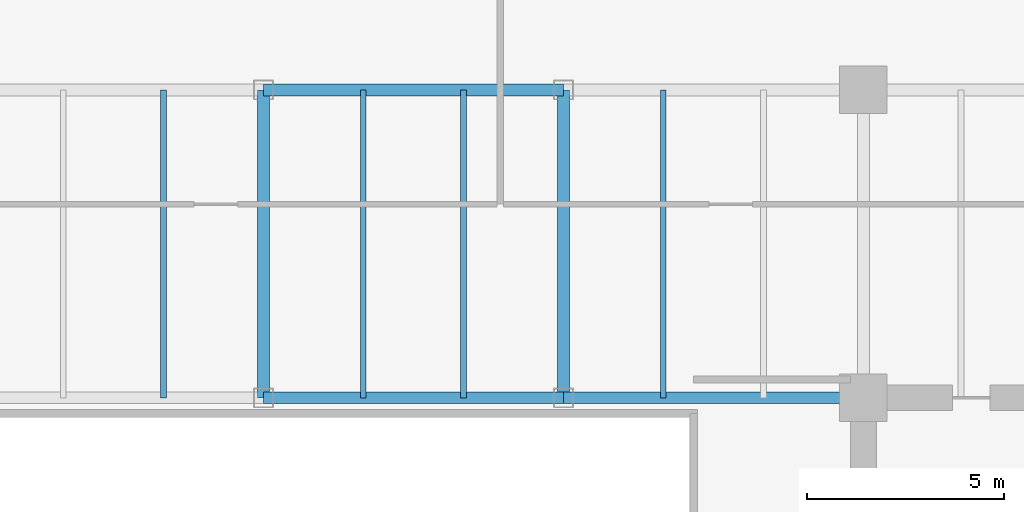
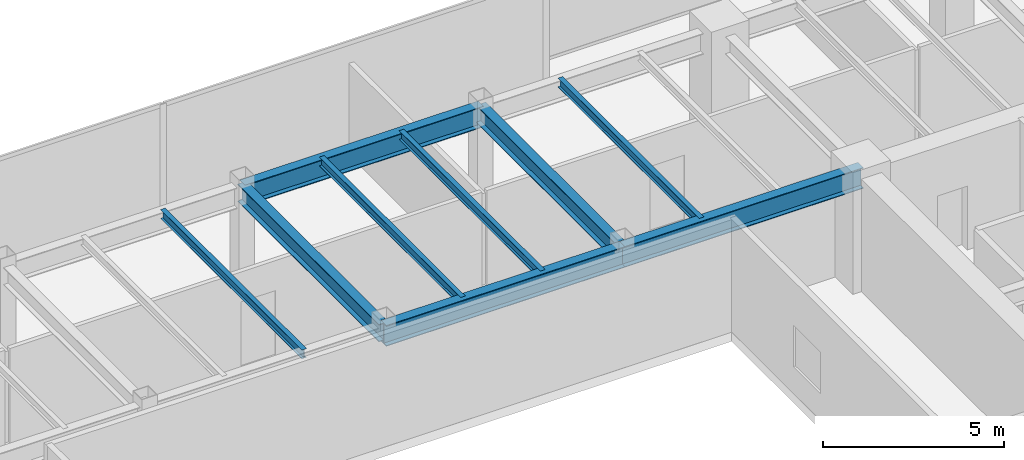
# One storey, part 17 of 31: 9 beams.
"""IFC4 building model written with IfcOpenShell, lengths in metres."""

from ifc_helpers import new_model, si_unit, direction, frame, origin, origin_2d, place, context, subcontext, project, spatial, i_section, extrude, source, transform, mapped, material, material_profile, profile_set, type_object, type_shapes, element, save


model = new_model("IFC4")

# Units and contexts
model_context = context("Model", 3, precision=1e-05, world=origin(), true_north=direction((0.0, 1.0)))
body_context = subcontext(model_context, "Body", "Model", "MODEL_VIEW")
ifc_project = project(units=[si_unit("LENGTHUNIT", "METRE"), si_unit("AREAUNIT", "SQUARE_METRE"), si_unit("VOLUMEUNIT", "CUBIC_METRE"), si_unit("PLANEANGLEUNIT", "RADIAN"), si_unit("MASSUNIT", "GRAM", prefix="KILO")], contexts=[model_context])

# Site, building, storey
site_placement = place(None, origin())
site = spatial("IfcSite", under=ifc_project, at=site_placement, CompositionType="ELEMENT")
building_placement = place(site_placement, origin())
building = spatial("IfcBuilding", under=site, at=building_placement, Name="Haelvirn Gate Laboratories", CompositionType="ELEMENT")
storey_placement = place(building_placement, frame((0.0, 0.0, 174.800048828125)))
storey = spatial("IfcBuildingStorey", under=building, at=storey_placement, Name="L42", CompositionType="ELEMENT", Elevation=174.800048828125)

# Beams
ifc_material = material(Name="Steel SM355", Category="steel")
ifc_material_profile_1 = material_profile(ifc_material, i_section(OverallWidth=0.300048828125, OverallDepth=0.699951171875, WebThickness=0.012939453125, FlangeThickness=0.02392578125, at=origin_2d()), Name="H-700x300x13x24")
ifc_profile_set_1 = profile_set([ifc_material_profile_1], Name="Steel SM355")
beam_type_1 = type_object("IfcBeamType", Name="BM-G-700", PredefinedType="BEAM", material=ifc_profile_set_1)
shared_shape_1 = source(origin(), body_context, "Body", "SweptSolid", [
    extrude(i_section(OverallWidth=0.300048828125, OverallDepth=0.699951171875, WebThickness=0.012939453125, FlangeThickness=0.02392578125, at=origin_2d()), origin(), (0.0, 0.0, 1.0), 7.60009765625),
])
type_shapes(beam_type_1, [shared_shape_1])
for number, where, z_axis, x_axis, name in (
    (1, (37.39990234375, 33.800048828125, 3.43994140625), (1.0, 0.0, 0.0), (0.0, 1.0, 0.0), "L42 Primary Girder Y33.8 (37.4-45.0)"),
    (2, (45.0, 33.800048828125, 3.43994140625), (1.0, 0.0, 0.0), (0.0, 1.0, 0.0), "L42 Primary Girder Y33.8 (45.0-52.6)"),
    (3, (37.39990234375, 41.60009765625, 3.43994140625), (1.0, 0.0, 0.0), (0.0, 1.0, 0.0), "L42 Primary Girder Y41.6 (37.4-45.0)"),
):
    element("IfcBeam", number, at=place(storey_placement, frame(where, z_axis=z_axis, x_axis=x_axis)), inside=storey, type_object=beam_type_1, Name=name, PredefinedType="BEAM", context=body_context, shape_type="MappedRepresentation", body=[
        mapped(shared_shape_1, transform((0.0, 0.0, 0.0), scale=1.0)),
    ])
ifc_material_profile_2 = material_profile(ifc_material, i_section(OverallWidth=0.14990234375, OverallDepth=0.300048828125, WebThickness=0.006591796875, FlangeThickness=0.009033203125, at=origin_2d()), Name="H-300x150x6.5x9")
ifc_profile_set_2 = profile_set([ifc_material_profile_2], Name="Steel SM355")
beam_type_2 = type_object("IfcBeamType", Name="BM-J-300", PredefinedType="JOIST", material=ifc_profile_set_2)
shared_shape_2 = source(origin(), body_context, "Body", "SweptSolid", [
    extrude(i_section(OverallWidth=0.14990234375, OverallDepth=0.300048828125, WebThickness=0.006591796875, FlangeThickness=0.009033203125, at=origin_2d()), origin(), (0.0, 0.0, 1.0), 7.800048828125),
])
type_shapes(beam_type_2, [shared_shape_2])
for number, where, z_axis, x_axis, name in (
    (4, (34.8701171875, 33.800048828125, 3.639892578125), (0.0, 1.0, 0.0), (-1.0, 0.0, 0.0), "L42 Composite Lab Joist North X34.87"),
    (5, (39.929931640625, 33.800048828125, 3.639892578125), (0.0, 1.0, 0.0), (-1.0, 0.0, 0.0), "L42 Composite Lab Joist North X39.93"),
    (6, (42.469970703125, 33.800048828125, 3.639892578125), (0.0, 1.0, 0.0), (-1.0, 0.0, 0.0), "L42 Composite Lab Joist North X42.47"),
    (7, (47.530029296875, 33.800048828125, 3.639892578125), (0.0, 1.0, 0.0), (-1.0, 0.0, 0.0), "L42 Composite Lab Joist North X47.53"),
):
    element("IfcBeam", number, at=place(storey_placement, frame(where, z_axis=z_axis, x_axis=x_axis)), inside=storey, type_object=beam_type_2, Name=name, PredefinedType="JOIST", context=body_context, shape_type="MappedRepresentation", body=[
        mapped(shared_shape_2, transform((0.0, 0.0, 0.0), scale=1.0)),
    ])
ifc_material_profile_3 = material_profile(ifc_material, i_section(OverallWidth=0.300048828125, OverallDepth=0.587890625, WebThickness=0.011962890625, FlangeThickness=0.02001953125, at=origin_2d()), Name="H-588x300x12x20")
ifc_profile_set_3 = profile_set([ifc_material_profile_3], Name="Steel SM355")
beam_type_3 = type_object("IfcBeamType", Name="BM-G-588", PredefinedType="BEAM", material=ifc_profile_set_3)
shared_shape_3 = source(origin(), body_context, "Body", "SweptSolid", [
    extrude(i_section(OverallWidth=0.300048828125, OverallDepth=0.587890625, WebThickness=0.011962890625, FlangeThickness=0.02001953125, at=origin_2d()), origin(), (0.0, 0.0, 1.0), 7.800048828125),
])
type_shapes(beam_type_3, [shared_shape_3])
for number, where, z_axis, x_axis, name in (
    (8, (37.39990234375, 33.800048828125, 3.495849609375), (0.0, 1.0, 0.0), (-1.0, 0.0, 0.0), "L42 Frame Girder X37.4 (33.8-41.6)"),
    (9, (45.0, 33.800048828125, 3.495849609375), (0.0, 1.0, 0.0), (-1.0, 0.0, 0.0), "L42 Frame Girder X45.0 (33.8-41.6)"),
):
    element("IfcBeam", number, at=place(storey_placement, frame(where, z_axis=z_axis, x_axis=x_axis)), inside=storey, type_object=beam_type_3, Name=name, PredefinedType="BEAM", context=body_context, shape_type="MappedRepresentation", body=[
        mapped(shared_shape_3, transform((0.0, 0.0, 0.0), scale=1.0)),
    ])

save(model, "model.ifc")
